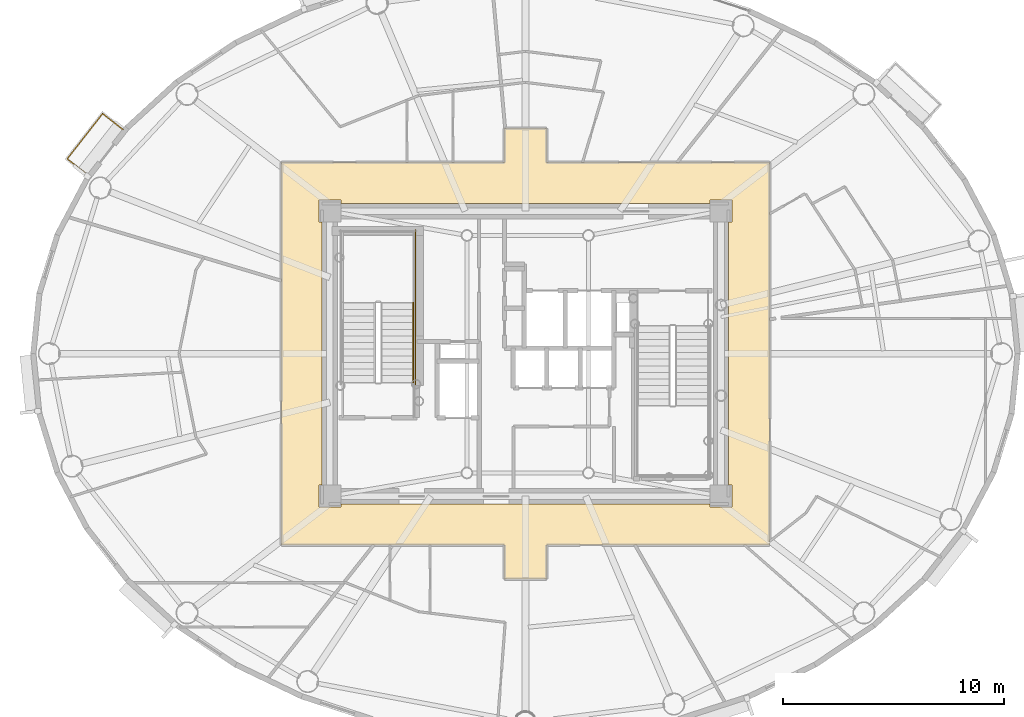
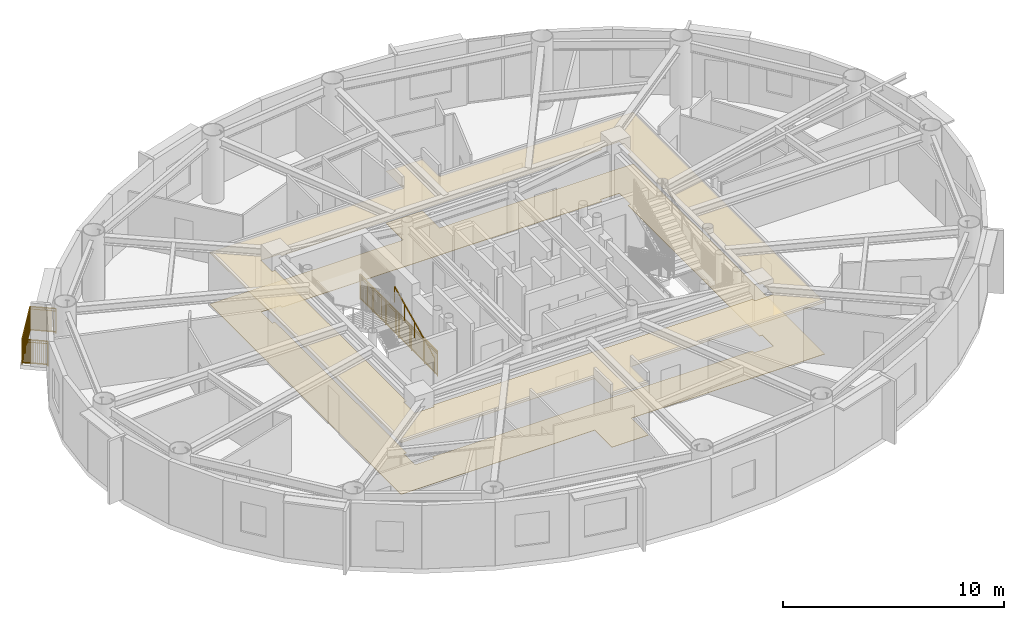
# One storey, part 15 of 17: 3 railings, 2 coverings.
"""IFC4 building model written with IfcOpenShell, lengths in metres."""

from ifc_helpers import new_model, si_unit, direction, frame, origin, origin_2d, place, context, subcontext, project, spatial, polyline, rectangle, outline, extrude, source, transform, mapped, material, layer, layer_set, type_object, element, save


model = new_model("IFC4")

# Units and contexts
model_context = context("Model", 3, precision=1e-05, world=origin(), true_north=direction((0.0, 1.0)))
body_context = subcontext(model_context, "Body", "Model", "MODEL_VIEW")
ifc_project = project(units=[si_unit("LENGTHUNIT", "METRE"), si_unit("AREAUNIT", "SQUARE_METRE"), si_unit("VOLUMEUNIT", "CUBIC_METRE"), si_unit("PLANEANGLEUNIT", "RADIAN"), si_unit("MASSUNIT", "GRAM", prefix="KILO")], contexts=[model_context])

# Site, building, storey
site_placement = place(None, origin())
site = spatial("IfcSite", under=ifc_project, at=site_placement, CompositionType="ELEMENT")
building_placement = place(site_placement, origin())
building = spatial("IfcBuilding", under=site, at=building_placement, Name="Linh Dai School and Residence Tower", CompositionType="ELEMENT")
storey_placement = place(building_placement, frame((0.0, 0.0, 276.75)))
storey = spatial("IfcBuildingStorey", under=building, at=storey_placement, Name="L68", CompositionType="ELEMENT", Elevation=276.75)

# Coverings
ifc_material_1 = material(Name="Mineral Fibre Acoustic Suspended Ceiling", Category="masonry")
ifc_layer_1 = layer(ifc_material_1, 0.02001953125)
ifc_layer_set_1 = layer_set([ifc_layer_1], Name="Mineral Fibre Acoustic Suspended Ceiling")
covering_type_1 = type_object("IfcCoveringType", Name="COV-CEIL-AC-20", PredefinedType="CEILING", material=ifc_layer_set_1)
covering_1_placement = place(storey_placement, frame((0.0, 0.0, 2.85009765625)))
element("IfcCovering", 1, at=covering_1_placement, inside=storey, type_object=covering_type_1, Name="L68 Residential Floor Corridor Suspended Ceiling", PredefinedType="CEILING", context=body_context, shape_type="SweptSolid", body=[
    extrude(outline(polyline([(24.949951171875, 18.35009765625), (24.949951171875, 35.64990234375), (35.050048828125, 35.64990234375), (35.050048828125, 37.199951171875), (36.949951171875, 37.199951171875), (36.949951171875, 35.64990234375), (47.050048828125, 35.64990234375), (47.050048828125, 18.35009765625), (36.949951171875, 18.35009765625), (36.949951171875, 16.800048828125), (35.050048828125, 16.800048828125), (35.050048828125, 18.35009765625), (24.949951171875, 18.35009765625)]), holes=[polyline([(27.64990234375, 33.800048828125), (27.64990234375, 33.949951171875), (26.64990234375, 33.949951171875), (26.64990234375, 32.949951171875), (26.800048828125, 32.949951171875), (26.800048828125, 21.050048828125), (26.64990234375, 21.050048828125), (26.64990234375, 20.050048828125), (27.64990234375, 20.050048828125), (27.64990234375, 20.199951171875), (44.35009765625, 20.199951171875), (44.35009765625, 20.050048828125), (45.35009765625, 20.050048828125), (45.35009765625, 21.050048828125), (45.199951171875, 21.050048828125), (45.199951171875, 32.949951171875), (45.35009765625, 32.949951171875), (45.35009765625, 33.949951171875), (44.35009765625, 33.949951171875), (44.35009765625, 33.800048828125), (27.64990234375, 33.800048828125)])]), origin(), (0.0, 0.0, 1.0), 0.02001953125),
])
ifc_material_2 = material(Name="Polished Terrazzo Floor Finish", Category="masonry")
ifc_layer_2 = layer(ifc_material_2, 0.02490234375)
ifc_layer_set_2 = layer_set([ifc_layer_2], Name="Polished Terrazzo Floor Finish")
covering_type_2 = type_object("IfcCoveringType", Name="COV-FLR-TRZ-25", PredefinedType="FLOORING", material=ifc_layer_set_2)
covering_2_placement = place(storey_placement, origin())
element("IfcCovering", 2, at=covering_2_placement, inside=storey, type_object=covering_type_2, Name="L68 Residential Floor Corridor Floor Finish", PredefinedType="FLOORING", context=body_context, shape_type="SweptSolid", body=[
    extrude(outline(polyline([(24.949951171875, 18.35009765625), (24.949951171875, 35.64990234375), (35.050048828125, 35.64990234375), (35.050048828125, 37.199951171875), (36.949951171875, 37.199951171875), (36.949951171875, 35.64990234375), (47.050048828125, 35.64990234375), (47.050048828125, 18.35009765625), (36.949951171875, 18.35009765625), (36.949951171875, 16.800048828125), (35.050048828125, 16.800048828125), (35.050048828125, 18.35009765625), (24.949951171875, 18.35009765625)]), holes=[polyline([(27.64990234375, 33.800048828125), (27.64990234375, 33.949951171875), (26.64990234375, 33.949951171875), (26.64990234375, 32.949951171875), (26.800048828125, 32.949951171875), (26.800048828125, 21.050048828125), (26.64990234375, 21.050048828125), (26.64990234375, 20.050048828125), (27.64990234375, 20.050048828125), (27.64990234375, 20.199951171875), (44.35009765625, 20.199951171875), (44.35009765625, 20.050048828125), (45.35009765625, 20.050048828125), (45.35009765625, 21.050048828125), (45.199951171875, 21.050048828125), (45.199951171875, 32.949951171875), (45.35009765625, 32.949951171875), (45.35009765625, 33.949951171875), (44.35009765625, 33.949951171875), (44.35009765625, 33.800048828125), (27.64990234375, 33.800048828125)])]), origin(), (0.0, 0.0, 1.0), 0.02001953125),
])

# Railings
ifc_material_3 = material(Name="Structural Steel S355JR", Category="steel")
railing_type_1 = type_object("IfcRailingType", Name="RL-BAL-1400", PredefinedType="BALUSTRADE", material=ifc_material_3)
shared_shape_1 = source(origin(), body_context, "Body", "SweptSolid", [
    extrude(rectangle(XDim=0.048095703125, YDim=0.048095703125, at=origin_2d()), frame((0.0, 0.0, 1.3759765625), z_axis=(-0.787465705171, 0.616358469707, 0.0), x_axis=(-0.616358469707, -0.787465705171, 0.0)), (0.0, 0.0, 1.0), 1.179931640625),
    extrude(rectangle(XDim=0.048095703125, YDim=0.048095703125, at=origin_2d()), frame((0.0, 0.0, 0.10009765625), z_axis=(-0.787465705171, 0.616358469707, 0.0), x_axis=(-0.616358469707, -0.787465705171, 0.0)), (0.0, 0.0, 1.0), 1.179931640625),
    extrude(rectangle(XDim=0.030029296875, YDim=0.030029296875, at=origin_2d()), frame((0.0, 0.0, 1.239990234375), z_axis=(-0.787465705171, 0.616358469707, 0.0), x_axis=(-0.616358469707, -0.787465705171, 0.0)), (0.0, 0.0, 1.0), 1.179931640625),
    extrude(rectangle(XDim=0.02001953125, YDim=0.02001953125, at=origin_2d()), frame((-0.071533203125, 0.055908203125, 0.10009765625)), (0.0, 0.0, 1.0), 1.251708984375),
    extrude(rectangle(XDim=0.02001953125, YDim=0.02001953125, at=origin_2d()), frame((-0.14306640625, 0.11181640625, 0.10009765625)), (0.0, 0.0, 1.0), 1.251708984375),
    extrude(rectangle(XDim=0.02001953125, YDim=0.02001953125, at=origin_2d()), frame((-0.21435546875, 0.167724609375, 0.10009765625)), (0.0, 0.0, 1.0), 1.251708984375),
    extrude(rectangle(XDim=0.02001953125, YDim=0.02001953125, at=origin_2d()), frame((-0.285888671875, 0.223876953125, 0.10009765625)), (0.0, 0.0, 1.0), 1.251708984375),
    extrude(rectangle(XDim=0.02001953125, YDim=0.02001953125, at=origin_2d()), frame((-0.357421875, 0.27978515625, 0.10009765625)), (0.0, 0.0, 1.0), 1.251708984375),
    extrude(rectangle(XDim=0.02001953125, YDim=0.02001953125, at=origin_2d()), frame((-0.428955078125, 0.335693359375, 0.10009765625)), (0.0, 0.0, 1.0), 1.251708984375),
    extrude(rectangle(XDim=0.02001953125, YDim=0.02001953125, at=origin_2d()), frame((-0.500244140625, 0.3916015625, 0.10009765625)), (0.0, 0.0, 1.0), 1.251708984375),
    extrude(rectangle(XDim=0.02001953125, YDim=0.02001953125, at=origin_2d()), frame((-0.57177734375, 0.447509765625, 0.10009765625)), (0.0, 0.0, 1.0), 1.251708984375),
    extrude(rectangle(XDim=0.02001953125, YDim=0.02001953125, at=origin_2d()), frame((-0.643310546875, 0.50341796875, 0.10009765625)), (0.0, 0.0, 1.0), 1.251708984375),
    extrude(rectangle(XDim=0.02001953125, YDim=0.02001953125, at=origin_2d()), frame((-0.71484375, 0.5595703125, 0.10009765625)), (0.0, 0.0, 1.0), 1.251708984375),
    extrude(rectangle(XDim=0.02001953125, YDim=0.02001953125, at=origin_2d()), frame((-0.7861328125, 0.615478515625, 0.10009765625)), (0.0, 0.0, 1.0), 1.251708984375),
    extrude(rectangle(XDim=0.02001953125, YDim=0.02001953125, at=origin_2d()), frame((-0.857666015625, 0.67138671875, 0.10009765625)), (0.0, 0.0, 1.0), 1.251708984375),
    extrude(rectangle(XDim=0.048095703125, YDim=0.048095703125, at=origin_2d()), frame((-0.92919921875, 0.727294921875, 1.3759765625), z_axis=(0.616318394655, 0.787497070731, 0.0), x_axis=(-0.787497070731, 0.616318394655, 0.0)), (0.0, 0.0, 1.0), 2.5986328125),
    extrude(rectangle(XDim=0.048095703125, YDim=0.048095703125, at=origin_2d()), frame((-0.92919921875, 0.727294921875, 0.10009765625), z_axis=(0.616318394655, 0.787497070731, 0.0), x_axis=(-0.787497070731, 0.616318394655, 0.0)), (0.0, 0.0, 1.0), 2.5986328125),
    extrude(rectangle(XDim=0.030029296875, YDim=0.030029296875, at=origin_2d()), frame((-0.92919921875, 0.727294921875, 1.239990234375), z_axis=(0.616318394655, 0.787497070731, 0.0), x_axis=(-0.787497070731, 0.616318394655, 0.0)), (0.0, 0.0, 1.0), 2.5986328125),
    extrude(rectangle(XDim=0.02001953125, YDim=0.02001953125, at=origin_2d()), frame((-0.869873046875, 0.802978515625, 0.10009765625)), (0.0, 0.0, 1.0), 1.251708984375),
    extrude(rectangle(XDim=0.02001953125, YDim=0.02001953125, at=origin_2d()), frame((-0.810546875, 0.87890625, 0.10009765625)), (0.0, 0.0, 1.0), 1.251708984375),
    extrude(rectangle(XDim=0.02001953125, YDim=0.02001953125, at=origin_2d()), frame((-0.751220703125, 0.95458984375, 0.10009765625)), (0.0, 0.0, 1.0), 1.251708984375),
    extrude(rectangle(XDim=0.02001953125, YDim=0.02001953125, at=origin_2d()), frame((-0.69189453125, 1.030517578125, 0.10009765625)), (0.0, 0.0, 1.0), 1.251708984375),
    extrude(rectangle(XDim=0.02001953125, YDim=0.02001953125, at=origin_2d()), frame((-0.632568359375, 1.106201171875, 0.10009765625)), (0.0, 0.0, 1.0), 1.251708984375),
    extrude(rectangle(XDim=0.02001953125, YDim=0.02001953125, at=origin_2d()), frame((-0.5732421875, 1.18212890625, 0.10009765625)), (0.0, 0.0, 1.0), 1.251708984375),
    extrude(rectangle(XDim=0.02001953125, YDim=0.02001953125, at=origin_2d()), frame((-0.513916015625, 1.2578125, 0.10009765625)), (0.0, 0.0, 1.0), 1.251708984375),
    extrude(rectangle(XDim=0.02001953125, YDim=0.02001953125, at=origin_2d()), frame((-0.45458984375, 1.333740234375, 0.10009765625)), (0.0, 0.0, 1.0), 1.251708984375),
    extrude(rectangle(XDim=0.02001953125, YDim=0.02001953125, at=origin_2d()), frame((-0.3359375, 1.485107421875, 0.10009765625)), (0.0, 0.0, 1.0), 1.251708984375),
    extrude(rectangle(XDim=0.02001953125, YDim=0.02001953125, at=origin_2d()), frame((-0.276611328125, 1.56103515625, 0.10009765625)), (0.0, 0.0, 1.0), 1.251708984375),
    extrude(rectangle(XDim=0.02001953125, YDim=0.02001953125, at=origin_2d()), frame((-0.21728515625, 1.63671875, 0.10009765625)), (0.0, 0.0, 1.0), 1.251708984375),
    extrude(rectangle(XDim=0.02001953125, YDim=0.02001953125, at=origin_2d()), frame((-0.157958984375, 1.712646484375, 0.10009765625)), (0.0, 0.0, 1.0), 1.251708984375),
    extrude(rectangle(XDim=0.02001953125, YDim=0.02001953125, at=origin_2d()), frame((-0.098876953125, 1.788330078125, 0.10009765625)), (0.0, 0.0, 1.0), 1.251708984375),
    extrude(rectangle(XDim=0.02001953125, YDim=0.02001953125, at=origin_2d()), frame((-0.03955078125, 1.8642578125, 0.10009765625)), (0.0, 0.0, 1.0), 1.251708984375),
    extrude(rectangle(XDim=0.02001953125, YDim=0.02001953125, at=origin_2d()), frame((0.019775390625, 1.93994140625, 0.10009765625)), (0.0, 0.0, 1.0), 1.251708984375),
    extrude(rectangle(XDim=0.02001953125, YDim=0.02001953125, at=origin_2d()), frame((0.0791015625, 2.015869140625, 0.10009765625)), (0.0, 0.0, 1.0), 1.251708984375),
    extrude(rectangle(XDim=0.02001953125, YDim=0.02001953125, at=origin_2d()), frame((0.19775390625, 2.167236328125, 0.10009765625)), (0.0, 0.0, 1.0), 1.251708984375),
    extrude(rectangle(XDim=0.02001953125, YDim=0.02001953125, at=origin_2d()), frame((0.257080078125, 2.2431640625, 0.10009765625)), (0.0, 0.0, 1.0), 1.251708984375),
    extrude(rectangle(XDim=0.02001953125, YDim=0.02001953125, at=origin_2d()), frame((0.31640625, 2.31884765625, 0.10009765625)), (0.0, 0.0, 1.0), 1.251708984375),
    extrude(rectangle(XDim=0.02001953125, YDim=0.02001953125, at=origin_2d()), frame((0.375732421875, 2.394775390625, 0.10009765625)), (0.0, 0.0, 1.0), 1.251708984375),
    extrude(rectangle(XDim=0.02001953125, YDim=0.02001953125, at=origin_2d()), frame((0.43505859375, 2.470458984375, 0.10009765625)), (0.0, 0.0, 1.0), 1.251708984375),
    extrude(rectangle(XDim=0.02001953125, YDim=0.02001953125, at=origin_2d()), frame((0.494384765625, 2.54638671875, 0.10009765625)), (0.0, 0.0, 1.0), 1.251708984375),
    extrude(rectangle(XDim=0.02001953125, YDim=0.02001953125, at=origin_2d()), frame((0.5537109375, 2.6220703125, 0.10009765625)), (0.0, 0.0, 1.0), 1.251708984375),
    extrude(rectangle(XDim=0.02001953125, YDim=0.02001953125, at=origin_2d()), frame((0.613037109375, 2.697998046875, 0.10009765625)), (0.0, 0.0, 1.0), 1.251708984375),
    extrude(rectangle(XDim=0.048095703125, YDim=0.048095703125, at=origin_2d()), frame((0.67236328125, 2.773681640625, 1.3759765625), z_axis=(0.787465705171, -0.616358469707, 0.0), x_axis=(0.616358469707, 0.787465705171, 0.0)), (0.0, 0.0, 1.0), 1.179931640625),
    extrude(rectangle(XDim=0.048095703125, YDim=0.048095703125, at=origin_2d()), frame((0.67236328125, 2.773681640625, 0.10009765625), z_axis=(0.787465705171, -0.616358469707, 0.0), x_axis=(0.616358469707, 0.787465705171, 0.0)), (0.0, 0.0, 1.0), 1.179931640625),
    extrude(rectangle(XDim=0.030029296875, YDim=0.030029296875, at=origin_2d()), frame((0.67236328125, 2.773681640625, 1.239990234375), z_axis=(0.787465705171, -0.616358469707, 0.0), x_axis=(0.616358469707, 0.787465705171, 0.0)), (0.0, 0.0, 1.0), 1.179931640625),
    extrude(rectangle(XDim=0.02001953125, YDim=0.02001953125, at=origin_2d()), frame((0.743896484375, 2.7177734375, 0.10009765625)), (0.0, 0.0, 1.0), 1.251708984375),
    extrude(rectangle(XDim=0.02001953125, YDim=0.02001953125, at=origin_2d()), frame((0.8154296875, 2.661865234375, 0.10009765625)), (0.0, 0.0, 1.0), 1.251708984375),
    extrude(rectangle(XDim=0.02001953125, YDim=0.02001953125, at=origin_2d()), frame((0.88671875, 2.60595703125, 0.10009765625)), (0.0, 0.0, 1.0), 1.251708984375),
    extrude(rectangle(XDim=0.02001953125, YDim=0.02001953125, at=origin_2d()), frame((0.958251953125, 2.5498046875, 0.10009765625)), (0.0, 0.0, 1.0), 1.251708984375),
    extrude(rectangle(XDim=0.02001953125, YDim=0.02001953125, at=origin_2d()), frame((1.02978515625, 2.493896484375, 0.10009765625)), (0.0, 0.0, 1.0), 1.251708984375),
    extrude(rectangle(XDim=0.02001953125, YDim=0.02001953125, at=origin_2d()), frame((1.101318359375, 2.43798828125, 0.10009765625)), (0.0, 0.0, 1.0), 1.251708984375),
    extrude(rectangle(XDim=0.02001953125, YDim=0.02001953125, at=origin_2d()), frame((1.172607421875, 2.382080078125, 0.10009765625)), (0.0, 0.0, 1.0), 1.251708984375),
    extrude(rectangle(XDim=0.02001953125, YDim=0.02001953125, at=origin_2d()), frame((1.244140625, 2.326171875, 0.10009765625)), (0.0, 0.0, 1.0), 1.251708984375),
    extrude(rectangle(XDim=0.02001953125, YDim=0.02001953125, at=origin_2d()), frame((1.315673828125, 2.270263671875, 0.10009765625)), (0.0, 0.0, 1.0), 1.251708984375),
    extrude(rectangle(XDim=0.02001953125, YDim=0.02001953125, at=origin_2d()), frame((1.38720703125, 2.214111328125, 0.10009765625)), (0.0, 0.0, 1.0), 1.251708984375),
    extrude(rectangle(XDim=0.02001953125, YDim=0.02001953125, at=origin_2d()), frame((1.45849609375, 2.158203125, 0.10009765625)), (0.0, 0.0, 1.0), 1.251708984375),
    extrude(rectangle(XDim=0.02001953125, YDim=0.02001953125, at=origin_2d()), frame((1.530029296875, 2.102294921875, 0.10009765625)), (0.0, 0.0, 1.0), 1.251708984375),
    extrude(rectangle(XDim=0.0419921875, YDim=0.0419921875, at=origin_2d()), origin(), (0.0, 0.0, 1.0), 1.3759765625),
    extrude(rectangle(XDim=0.0419921875, YDim=0.0419921875, at=origin_2d()), frame((-0.92919921875, 0.727294921875, 0.0)), (0.0, 0.0, 1.0), 1.3759765625),
    extrude(rectangle(XDim=0.0419921875, YDim=0.0419921875, at=origin_2d()), frame((-0.395263671875, 1.409423828125, 0.0)), (0.0, 0.0, 1.0), 1.3759765625),
    extrude(rectangle(XDim=0.0419921875, YDim=0.0419921875, at=origin_2d()), frame((0.138427734375, 2.091552734375, 0.0)), (0.0, 0.0, 1.0), 1.3759765625),
    extrude(rectangle(XDim=0.0419921875, YDim=0.0419921875, at=origin_2d()), frame((0.67236328125, 2.773681640625, 0.0)), (0.0, 0.0, 1.0), 1.3759765625),
    extrude(rectangle(XDim=0.0419921875, YDim=0.0419921875, at=origin_2d()), frame((1.6015625, 2.04638671875, 0.0)), (0.0, 0.0, 1.0), 1.3759765625),
])
railing_1_placement = place(storey_placement, frame((16.190185546875, 35.0888671875, 0.0)))
element("IfcRailing", 3, at=railing_1_placement, inside=storey, type_object=railing_type_1, Name="L68 Balcony Safety Balustrade 17", PredefinedType="BALUSTRADE", context=body_context, shape_type="MappedRepresentation", body=[
    mapped(shared_shape_1, transform((0.0, 0.0, 0.0), x_axis=(1.0, 0.0, 0.0), y_axis=(0.0, 1.0, 0.0), z_axis=(0.0, 0.0, 1.0), scale=1.0)),
])
railing_type_2 = type_object("IfcRailingType", Name="RL-ST-GUARD-1400", PredefinedType="GUARDRAIL", material=ifc_material_3)
shared_shape_2 = source(origin(), body_context, "Body", "SweptSolid", [
    extrude(rectangle(XDim=0.048095703125, YDim=0.048095703125, at=origin_2d()), frame((0.0, 0.0, 1.3759765625), z_axis=(0.0, 1.0, 0.0), x_axis=(-1.0, 0.0, 0.0)), (0.0, 0.0, 1.0), 7.0),
    extrude(rectangle(XDim=0.048095703125, YDim=0.048095703125, at=origin_2d()), frame((0.0, 0.0, 0.10009765625), z_axis=(0.0, 1.0, 0.0), x_axis=(-1.0, 0.0, 0.0)), (0.0, 0.0, 1.0), 7.0),
    extrude(rectangle(XDim=0.030029296875, YDim=0.030029296875, at=origin_2d()), frame((0.0, 0.0, 1.239990234375), z_axis=(0.0, 1.0, 0.0), x_axis=(-1.0, 0.0, 0.0)), (0.0, 0.0, 1.0), 7.0),
    extrude(rectangle(XDim=0.02001953125, YDim=0.02001953125, at=origin_2d()), frame((0.0, 0.09716796875, 0.10009765625)), (0.0, 0.0, 1.0), 1.251708984375),
    extrude(rectangle(XDim=0.02001953125, YDim=0.02001953125, at=origin_2d()), frame((0.0, 0.1943359375, 0.10009765625)), (0.0, 0.0, 1.0), 1.251708984375),
    extrude(rectangle(XDim=0.02001953125, YDim=0.02001953125, at=origin_2d()), frame((0.0, 0.291748046875, 0.10009765625)), (0.0, 0.0, 1.0), 1.251708984375),
    extrude(rectangle(XDim=0.02001953125, YDim=0.02001953125, at=origin_2d()), frame((0.0, 0.388916015625, 0.10009765625)), (0.0, 0.0, 1.0), 1.251708984375),
    extrude(rectangle(XDim=0.02001953125, YDim=0.02001953125, at=origin_2d()), frame((0.0, 0.486083984375, 0.10009765625)), (0.0, 0.0, 1.0), 1.251708984375),
    extrude(rectangle(XDim=0.02001953125, YDim=0.02001953125, at=origin_2d()), frame((0.0, 0.583251953125, 0.10009765625)), (0.0, 0.0, 1.0), 1.251708984375),
    extrude(rectangle(XDim=0.02001953125, YDim=0.02001953125, at=origin_2d()), frame((0.0, 0.6806640625, 0.10009765625)), (0.0, 0.0, 1.0), 1.251708984375),
    extrude(rectangle(XDim=0.02001953125, YDim=0.02001953125, at=origin_2d()), frame((0.0, 0.77783203125, 0.10009765625)), (0.0, 0.0, 1.0), 1.251708984375),
    extrude(rectangle(XDim=0.02001953125, YDim=0.02001953125, at=origin_2d()), frame((0.0, 0.875, 0.10009765625)), (0.0, 0.0, 1.0), 1.251708984375),
    extrude(rectangle(XDim=0.02001953125, YDim=0.02001953125, at=origin_2d()), frame((0.0, 0.97216796875, 0.10009765625)), (0.0, 0.0, 1.0), 1.251708984375),
    extrude(rectangle(XDim=0.02001953125, YDim=0.02001953125, at=origin_2d()), frame((0.0, 1.0693359375, 0.10009765625)), (0.0, 0.0, 1.0), 1.251708984375),
    extrude(rectangle(XDim=0.02001953125, YDim=0.02001953125, at=origin_2d()), frame((0.0, 1.263916015625, 0.10009765625)), (0.0, 0.0, 1.0), 1.251708984375),
    extrude(rectangle(XDim=0.02001953125, YDim=0.02001953125, at=origin_2d()), frame((0.0, 1.361083984375, 0.10009765625)), (0.0, 0.0, 1.0), 1.251708984375),
    extrude(rectangle(XDim=0.02001953125, YDim=0.02001953125, at=origin_2d()), frame((0.0, 1.458251953125, 0.10009765625)), (0.0, 0.0, 1.0), 1.251708984375),
    extrude(rectangle(XDim=0.02001953125, YDim=0.02001953125, at=origin_2d()), frame((0.0, 1.5556640625, 0.10009765625)), (0.0, 0.0, 1.0), 1.251708984375),
    extrude(rectangle(XDim=0.02001953125, YDim=0.02001953125, at=origin_2d()), frame((0.0, 1.65283203125, 0.10009765625)), (0.0, 0.0, 1.0), 1.251708984375),
    extrude(rectangle(XDim=0.02001953125, YDim=0.02001953125, at=origin_2d()), frame((0.0, 1.75, 0.10009765625)), (0.0, 0.0, 1.0), 1.251708984375),
    extrude(rectangle(XDim=0.02001953125, YDim=0.02001953125, at=origin_2d()), frame((0.0, 1.84716796875, 0.10009765625)), (0.0, 0.0, 1.0), 1.251708984375),
    extrude(rectangle(XDim=0.02001953125, YDim=0.02001953125, at=origin_2d()), frame((0.0, 1.9443359375, 0.10009765625)), (0.0, 0.0, 1.0), 1.251708984375),
    extrude(rectangle(XDim=0.02001953125, YDim=0.02001953125, at=origin_2d()), frame((0.0, 2.041748046875, 0.10009765625)), (0.0, 0.0, 1.0), 1.251708984375),
    extrude(rectangle(XDim=0.02001953125, YDim=0.02001953125, at=origin_2d()), frame((0.0, 2.138916015625, 0.10009765625)), (0.0, 0.0, 1.0), 1.251708984375),
    extrude(rectangle(XDim=0.02001953125, YDim=0.02001953125, at=origin_2d()), frame((0.0, 2.236083984375, 0.10009765625)), (0.0, 0.0, 1.0), 1.251708984375),
    extrude(rectangle(XDim=0.02001953125, YDim=0.02001953125, at=origin_2d()), frame((0.0, 2.4306640625, 0.10009765625)), (0.0, 0.0, 1.0), 1.251708984375),
    extrude(rectangle(XDim=0.02001953125, YDim=0.02001953125, at=origin_2d()), frame((0.0, 2.52783203125, 0.10009765625)), (0.0, 0.0, 1.0), 1.251708984375),
    extrude(rectangle(XDim=0.02001953125, YDim=0.02001953125, at=origin_2d()), frame((0.0, 2.625, 0.10009765625)), (0.0, 0.0, 1.0), 1.251708984375),
    extrude(rectangle(XDim=0.02001953125, YDim=0.02001953125, at=origin_2d()), frame((0.0, 2.72216796875, 0.10009765625)), (0.0, 0.0, 1.0), 1.251708984375),
    extrude(rectangle(XDim=0.02001953125, YDim=0.02001953125, at=origin_2d()), frame((0.0, 2.8193359375, 0.10009765625)), (0.0, 0.0, 1.0), 1.251708984375),
    extrude(rectangle(XDim=0.02001953125, YDim=0.02001953125, at=origin_2d()), frame((0.0, 2.916748046875, 0.10009765625)), (0.0, 0.0, 1.0), 1.251708984375),
    extrude(rectangle(XDim=0.02001953125, YDim=0.02001953125, at=origin_2d()), frame((0.0, 3.013916015625, 0.10009765625)), (0.0, 0.0, 1.0), 1.251708984375),
    extrude(rectangle(XDim=0.02001953125, YDim=0.02001953125, at=origin_2d()), frame((0.0, 3.111083984375, 0.10009765625)), (0.0, 0.0, 1.0), 1.251708984375),
    extrude(rectangle(XDim=0.02001953125, YDim=0.02001953125, at=origin_2d()), frame((0.0, 3.208251953125, 0.10009765625)), (0.0, 0.0, 1.0), 1.251708984375),
    extrude(rectangle(XDim=0.02001953125, YDim=0.02001953125, at=origin_2d()), frame((0.0, 3.3056640625, 0.10009765625)), (0.0, 0.0, 1.0), 1.251708984375),
    extrude(rectangle(XDim=0.02001953125, YDim=0.02001953125, at=origin_2d()), frame((0.0, 3.40283203125, 0.10009765625)), (0.0, 0.0, 1.0), 1.251708984375),
    extrude(rectangle(XDim=0.02001953125, YDim=0.02001953125, at=origin_2d()), frame((0.0, 3.59716796875, 0.10009765625)), (0.0, 0.0, 1.0), 1.251708984375),
    extrude(rectangle(XDim=0.02001953125, YDim=0.02001953125, at=origin_2d()), frame((0.0, 3.6943359375, 0.10009765625)), (0.0, 0.0, 1.0), 1.251708984375),
    extrude(rectangle(XDim=0.02001953125, YDim=0.02001953125, at=origin_2d()), frame((0.0, 3.791748046875, 0.10009765625)), (0.0, 0.0, 1.0), 1.251708984375),
    extrude(rectangle(XDim=0.02001953125, YDim=0.02001953125, at=origin_2d()), frame((0.0, 3.888916015625, 0.10009765625)), (0.0, 0.0, 1.0), 1.251708984375),
    extrude(rectangle(XDim=0.02001953125, YDim=0.02001953125, at=origin_2d()), frame((0.0, 3.986083984375, 0.10009765625)), (0.0, 0.0, 1.0), 1.251708984375),
    extrude(rectangle(XDim=0.02001953125, YDim=0.02001953125, at=origin_2d()), frame((0.0, 4.083251953125, 0.10009765625)), (0.0, 0.0, 1.0), 1.251708984375),
    extrude(rectangle(XDim=0.02001953125, YDim=0.02001953125, at=origin_2d()), frame((0.0, 4.1806640625, 0.10009765625)), (0.0, 0.0, 1.0), 1.251708984375),
    extrude(rectangle(XDim=0.02001953125, YDim=0.02001953125, at=origin_2d()), frame((0.0, 4.27783203125, 0.10009765625)), (0.0, 0.0, 1.0), 1.251708984375),
    extrude(rectangle(XDim=0.02001953125, YDim=0.02001953125, at=origin_2d()), frame((0.0, 4.375, 0.10009765625)), (0.0, 0.0, 1.0), 1.251708984375),
    extrude(rectangle(XDim=0.02001953125, YDim=0.02001953125, at=origin_2d()), frame((0.0, 4.47216796875, 0.10009765625)), (0.0, 0.0, 1.0), 1.251708984375),
    extrude(rectangle(XDim=0.02001953125, YDim=0.02001953125, at=origin_2d()), frame((0.0, 4.5693359375, 0.10009765625)), (0.0, 0.0, 1.0), 1.251708984375),
    extrude(rectangle(XDim=0.02001953125, YDim=0.02001953125, at=origin_2d()), frame((0.0, 4.763916015625, 0.10009765625)), (0.0, 0.0, 1.0), 1.251708984375),
    extrude(rectangle(XDim=0.02001953125, YDim=0.02001953125, at=origin_2d()), frame((0.0, 4.861083984375, 0.10009765625)), (0.0, 0.0, 1.0), 1.251708984375),
    extrude(rectangle(XDim=0.02001953125, YDim=0.02001953125, at=origin_2d()), frame((0.0, 4.958251953125, 0.10009765625)), (0.0, 0.0, 1.0), 1.251708984375),
    extrude(rectangle(XDim=0.02001953125, YDim=0.02001953125, at=origin_2d()), frame((0.0, 5.0556640625, 0.10009765625)), (0.0, 0.0, 1.0), 1.251708984375),
    extrude(rectangle(XDim=0.02001953125, YDim=0.02001953125, at=origin_2d()), frame((0.0, 5.15283203125, 0.10009765625)), (0.0, 0.0, 1.0), 1.251708984375),
    extrude(rectangle(XDim=0.02001953125, YDim=0.02001953125, at=origin_2d()), frame((0.0, 5.25, 0.10009765625)), (0.0, 0.0, 1.0), 1.251708984375),
    extrude(rectangle(XDim=0.02001953125, YDim=0.02001953125, at=origin_2d()), frame((0.0, 5.34716796875, 0.10009765625)), (0.0, 0.0, 1.0), 1.251708984375),
    extrude(rectangle(XDim=0.02001953125, YDim=0.02001953125, at=origin_2d()), frame((0.0, 5.4443359375, 0.10009765625)), (0.0, 0.0, 1.0), 1.251708984375),
    extrude(rectangle(XDim=0.02001953125, YDim=0.02001953125, at=origin_2d()), frame((0.0, 5.541748046875, 0.10009765625)), (0.0, 0.0, 1.0), 1.251708984375),
    extrude(rectangle(XDim=0.02001953125, YDim=0.02001953125, at=origin_2d()), frame((0.0, 5.638916015625, 0.10009765625)), (0.0, 0.0, 1.0), 1.251708984375),
    extrude(rectangle(XDim=0.02001953125, YDim=0.02001953125, at=origin_2d()), frame((0.0, 5.736083984375, 0.10009765625)), (0.0, 0.0, 1.0), 1.251708984375),
    extrude(rectangle(XDim=0.02001953125, YDim=0.02001953125, at=origin_2d()), frame((0.0, 5.9306640625, 0.10009765625)), (0.0, 0.0, 1.0), 1.251708984375),
    extrude(rectangle(XDim=0.02001953125, YDim=0.02001953125, at=origin_2d()), frame((0.0, 6.02783203125, 0.10009765625)), (0.0, 0.0, 1.0), 1.251708984375),
    extrude(rectangle(XDim=0.02001953125, YDim=0.02001953125, at=origin_2d()), frame((0.0, 6.125, 0.10009765625)), (0.0, 0.0, 1.0), 1.251708984375),
    extrude(rectangle(XDim=0.02001953125, YDim=0.02001953125, at=origin_2d()), frame((0.0, 6.22216796875, 0.10009765625)), (0.0, 0.0, 1.0), 1.251708984375),
    extrude(rectangle(XDim=0.02001953125, YDim=0.02001953125, at=origin_2d()), frame((0.0, 6.3193359375, 0.10009765625)), (0.0, 0.0, 1.0), 1.251708984375),
    extrude(rectangle(XDim=0.02001953125, YDim=0.02001953125, at=origin_2d()), frame((0.0, 6.416748046875, 0.10009765625)), (0.0, 0.0, 1.0), 1.251708984375),
    extrude(rectangle(XDim=0.02001953125, YDim=0.02001953125, at=origin_2d()), frame((0.0, 6.513916015625, 0.10009765625)), (0.0, 0.0, 1.0), 1.251708984375),
    extrude(rectangle(XDim=0.02001953125, YDim=0.02001953125, at=origin_2d()), frame((0.0, 6.611083984375, 0.10009765625)), (0.0, 0.0, 1.0), 1.251708984375),
    extrude(rectangle(XDim=0.02001953125, YDim=0.02001953125, at=origin_2d()), frame((0.0, 6.708251953125, 0.10009765625)), (0.0, 0.0, 1.0), 1.251708984375),
    extrude(rectangle(XDim=0.02001953125, YDim=0.02001953125, at=origin_2d()), frame((0.0, 6.8056640625, 0.10009765625)), (0.0, 0.0, 1.0), 1.251708984375),
    extrude(rectangle(XDim=0.02001953125, YDim=0.02001953125, at=origin_2d()), frame((0.0, 6.90283203125, 0.10009765625)), (0.0, 0.0, 1.0), 1.251708984375),
    extrude(rectangle(XDim=0.0419921875, YDim=0.0419921875, at=origin_2d()), origin(), (0.0, 0.0, 1.0), 1.3759765625),
    extrude(rectangle(XDim=0.0419921875, YDim=0.0419921875, at=origin_2d()), frame((0.0, 1.166748046875, 0.0)), (0.0, 0.0, 1.0), 1.3759765625),
    extrude(rectangle(XDim=0.0419921875, YDim=0.0419921875, at=origin_2d()), frame((0.0, 2.333251953125, 0.0)), (0.0, 0.0, 1.0), 1.3759765625),
    extrude(rectangle(XDim=0.0419921875, YDim=0.0419921875, at=origin_2d()), frame((0.0, 3.5, 0.0)), (0.0, 0.0, 1.0), 1.3759765625),
    extrude(rectangle(XDim=0.0419921875, YDim=0.0419921875, at=origin_2d()), frame((0.0, 4.666748046875, 0.0)), (0.0, 0.0, 1.0), 1.3759765625),
    extrude(rectangle(XDim=0.0419921875, YDim=0.0419921875, at=origin_2d()), frame((0.0, 5.833251953125, 0.0)), (0.0, 0.0, 1.0), 1.3759765625),
    extrude(rectangle(XDim=0.0419921875, YDim=0.0419921875, at=origin_2d()), frame((0.0, 7.0, 0.0)), (0.0, 0.0, 1.0), 1.3759765625),
])
railing_2_placement = place(storey_placement, frame((31.030029296875, 25.60009765625, 0.0)))
element("IfcRailing", 4, at=railing_2_placement, inside=storey, type_object=railing_type_2, Name="L68 ST1 stair guard 10", PredefinedType="GUARDRAIL", context=body_context, shape_type="MappedRepresentation", body=[
    mapped(shared_shape_2, transform((0.0, 0.0, 0.0), x_axis=(1.0, 0.0, 0.0), y_axis=(0.0, 1.0, 0.0), z_axis=(0.0, 0.0, 1.0), scale=1.0)),
])
ifc_material_4 = material(Name="Brushed Stainless Steel Handrail", Category="steel")
railing_type_3 = type_object("IfcRailingType", Name="RL-ST-HANDRAIL-900", PredefinedType="HANDRAIL", material=ifc_material_4)
shared_shape_3 = source(origin(), body_context, "Body", "SweptSolid", [
    extrude(rectangle(XDim=0.048095703125, YDim=0.048095703125, at=origin_2d()), frame((0.0, 0.0, 0.8759765625), z_axis=(0.0, 0.901262522062, 0.433273431364), x_axis=(-1.0, 0.0, 0.0)), (0.0, 0.0, 1.0), 3.994384765625),
    extrude(rectangle(XDim=0.0419921875, YDim=0.0419921875, at=origin_2d()), origin(), (0.0, 0.0, 1.0), 0.8759765625),
    extrude(rectangle(XDim=0.0419921875, YDim=0.0419921875, at=origin_2d()), frame((0.0, 0.89990234375, 0.4326171875)), (0.0, 0.0, 1.0), 0.8759765625),
    extrude(rectangle(XDim=0.0419921875, YDim=0.0419921875, at=origin_2d()), frame((0.0, 1.800048828125, 0.865234375)), (0.0, 0.0, 1.0), 0.8759765625),
    extrude(rectangle(XDim=0.0419921875, YDim=0.0419921875, at=origin_2d()), frame((0.0, 2.7001953125, 1.298095703125)), (0.0, 0.0, 1.0), 0.8759765625),
    extrude(rectangle(XDim=0.0419921875, YDim=0.0419921875, at=origin_2d()), frame((0.0, 3.60009765625, 1.730712890625)), (0.0, 0.0, 1.0), 0.8759765625),
])
railing_3_placement = place(storey_placement, frame((30.929931640625, 25.699951171875, 0.144287109375)))
element("IfcRailing", 5, at=railing_3_placement, inside=storey, type_object=railing_type_3, Name="L68 ST1 stair handrail 1", PredefinedType="HANDRAIL", context=body_context, shape_type="MappedRepresentation", body=[
    mapped(shared_shape_3, transform((0.0, 0.0, 0.0), x_axis=(1.0, 0.0, 0.0), y_axis=(0.0, 1.0, 0.0), z_axis=(0.0, 0.0, 1.0), scale=1.0)),
])

save(model, "model.ifc")
